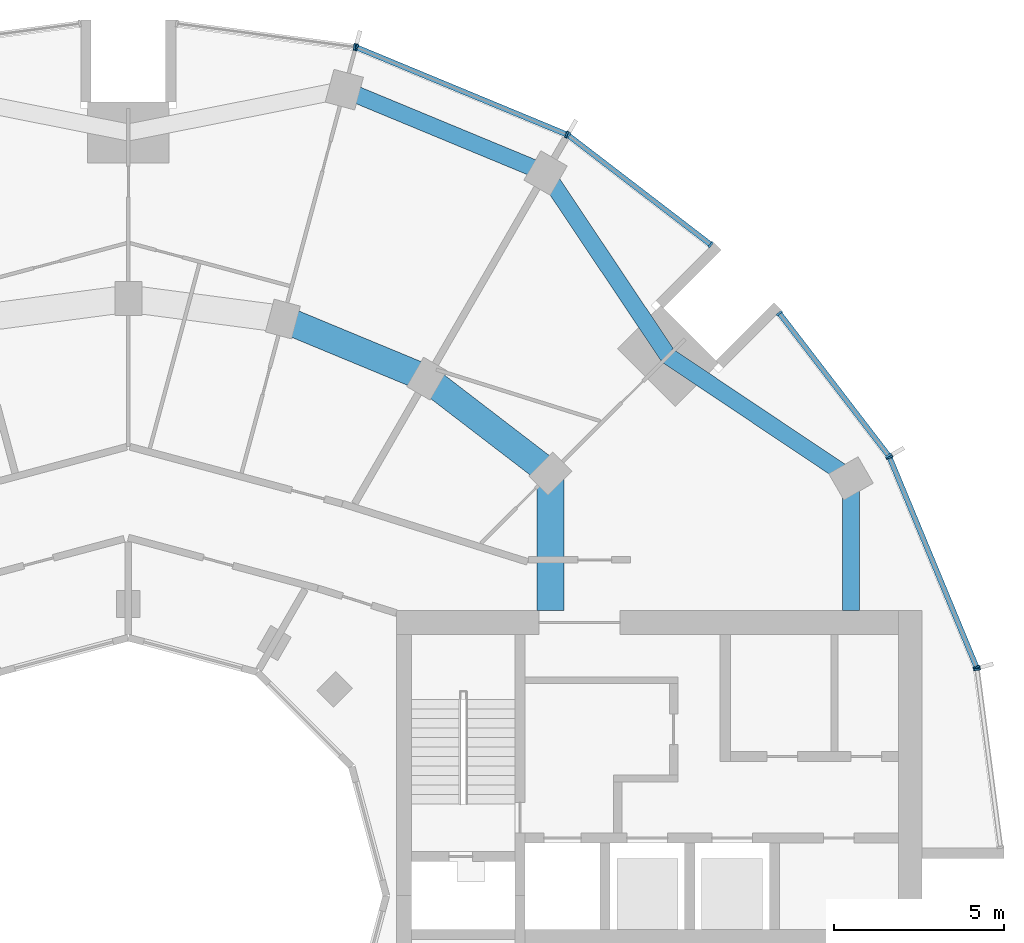
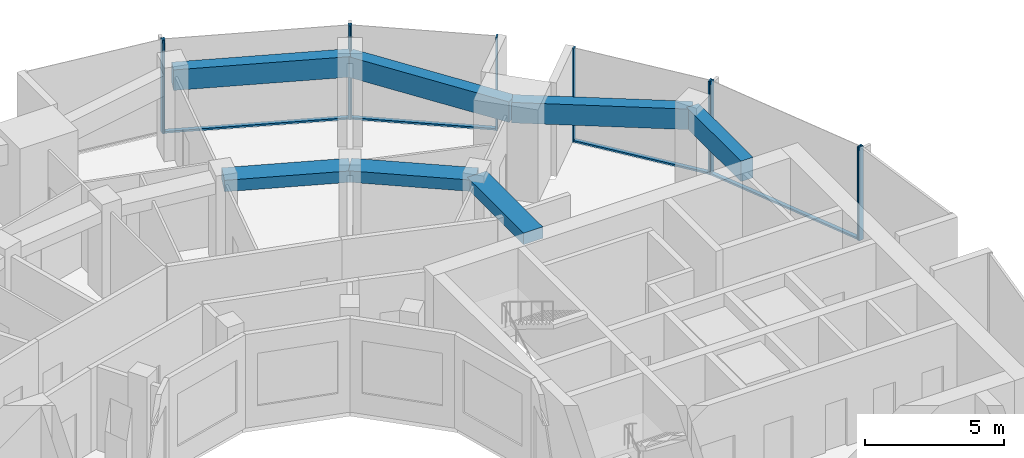
# One storey, part 6 of 15: 14 members, 7 beams, 6 elements without a shape of their own.
"""IFC4 building model written with IfcOpenShell, lengths in metres."""

import ifcopenshell
import ifcopenshell.guid

model = None  # the IFC model being written
_history = None  # IfcOwnerHistory: only IFC2X3 demands one
_inside = {}  # id of a spatial element -> (the spatial element, [elements in it])
_under = {}  # id of a project, library or spatial element -> (it, [spatial elements below it])
_declared = {}  # id of a project -> (the project, [libraries it declares])
_typed = {}  # id of a type object -> (the type object, [elements of that type])
_made_of = {}  # id of a material, layer set ... -> (it, [elements and type objects made of it])


def new_model(schema):
    """Start an empty IFC model of exactly this schema.

    Asked for "IFC4X3", IfcOpenShell would pick the latest addendum, in which some entities
    have other attributes; the version numbers below select the first issue.
    IFC2X3 requires an IfcOwnerHistory on every rooted entity: one is made here for all.
    """
    global model, _history
    if schema == "IFC4X3":
        model = ifcopenshell.file(schema_version=(4, 3, 0, 0))
    else:
        model = ifcopenshell.file(schema=schema)
    _inside.clear()
    _under.clear()
    _declared.clear()
    _typed.clear()
    _made_of.clear()
    _history = None
    if model.schema == "IFC2X3":
        org = make("IfcOrganization", Name="unknown")
        user = make(
            "IfcPersonAndOrganization",
            ThePerson=make("IfcPerson", FamilyName="unknown"),
            TheOrganization=org,
        )
        app = make(
            "IfcApplication",
            ApplicationDeveloper=org,
            Version="unknown",
            ApplicationFullName="unknown",
            ApplicationIdentifier="unknown",
        )
        _history = make(
            "IfcOwnerHistory",
            OwningUser=user,
            OwningApplication=app,
            ChangeAction="ADDED",
            CreationDate=0,
        )
    return model


def make(cls, **values):
    """One entity of the class cls with the attributes given. An attribute that is None is left unset."""
    return model.create_entity(
        cls, **{name: value for name, value in values.items() if value is not None}
    )


def rooted(cls, **values):
    """An entity with a GlobalId (a new one), such as an element, a storey or a relation."""
    return make(cls, GlobalId=ifcopenshell.guid.new(), OwnerHistory=_history, **values)


def si_unit(unit_type, name, prefix=None):
    """IfcSIUnit, for example si_unit("LENGTHUNIT", "METRE", prefix="MILLI")."""
    return make("IfcSIUnit", UnitType=unit_type, Prefix=prefix, Name=name)


def assignment(units):
    """IfcUnitAssignment: the units of a project."""
    return None if units is None else make("IfcUnitAssignment", Units=units)


def point(xyz):
    """IfcCartesianPoint."""
    return None if xyz is None else make("IfcCartesianPoint", Coordinates=xyz)


def direction(xyz):
    """IfcDirection."""
    return None if xyz is None else make("IfcDirection", DirectionRatios=xyz)


def frame(location, z_axis=None, x_axis=None):
    """IfcAxis2Placement3D, a coordinate frame: its origin and axes. An axis left out is left unset."""
    return make(
        "IfcAxis2Placement3D",
        Location=point(location),
        Axis=direction(z_axis),
        RefDirection=direction(x_axis),
    )


def frame_2d(location, x_axis=None):
    """IfcAxis2Placement2D, a coordinate frame in the plane: its origin and x axis."""
    return make(
        "IfcAxis2Placement2D", Location=point(location), RefDirection=direction(x_axis)
    )


def origin():
    """The frame at (0, 0, 0) with its axes left unset."""
    return frame((0.0, 0.0, 0.0))


def origin_2d():
    """The frame at (0, 0) in the plane with its x axis left unset."""
    return frame_2d((0.0, 0.0))


def place(relative_to, where):
    """IfcLocalPlacement: puts the frame where relative to a parent placement (None: the world)."""
    return make(
        "IfcLocalPlacement", PlacementRelTo=relative_to, RelativePlacement=where
    )


def context(
    kind, dimensions, precision=None, world=None, true_north=None, identifier=None
):
    """IfcGeometricRepresentationContext, for example the 3D "Model" context."""
    return make(
        "IfcGeometricRepresentationContext",
        ContextIdentifier=identifier,
        ContextType=kind,
        CoordinateSpaceDimension=dimensions,
        Precision=precision,
        WorldCoordinateSystem=world,
        TrueNorth=true_north,
    )


def subcontext(parent, identifier, kind, view, scale=None):
    """IfcGeometricRepresentationSubContext, for example "Body" below "Model"."""
    return make(
        "IfcGeometricRepresentationSubContext",
        ContextIdentifier=identifier,
        ContextType=kind,
        ParentContext=parent,
        TargetScale=scale,
        TargetView=view,
    )


def project(units=None, contexts=None):
    """IfcProject with its units and contexts."""
    return rooted(
        "IfcProject",
        Name="project",
        RepresentationContexts=contexts,
        UnitsInContext=assignment(units),
    )


def spatial(cls, under=None, at=None, **own):
    """A site, building, storey or space (cls), placed at a placement, below another one or the project."""
    s = rooted(cls, ObjectPlacement=at, **own)
    if under is not None:
        _under.setdefault(under.id(), (under, []))[1].append(s)
    return s


def profile(cls, at=None, kind="AREA", **sizes):
    """A parametric profile (cls). Its sizes go by their IFC names, for example OverallWidth=200.0."""
    return make(cls, ProfileType=kind, Position=at, **sizes)


def rectangle(**sizes):
    """IfcRectangleProfileDef."""
    return profile("IfcRectangleProfileDef", **sizes)


def extrude(swept, where, along, depth):
    """IfcExtrudedAreaSolid: the profile swept, set in the frame where, extruded along a direction by depth."""
    return make(
        "IfcExtrudedAreaSolid",
        SweptArea=swept,
        Position=where,
        ExtrudedDirection=direction(along),
        Depth=depth,
    )


def shape(context_of_items, identifier, shape_type, items):
    """IfcShapeRepresentation: the items that make up one representation, for example the "Body"."""
    return make(
        "IfcShapeRepresentation",
        ContextOfItems=context_of_items,
        RepresentationIdentifier=identifier,
        RepresentationType=shape_type,
        Items=items,
    )


def material(Name=None, Category=None):
    """IfcMaterial."""
    return make("IfcMaterial", Name=Name, Category=Category)


def layer(
    of_material, thickness, ventilated=None, Name=None, Category=None, Priority=None
):
    """IfcMaterialLayer: one layer of a wall or slab, of a material (None: an air gap)."""
    return make(
        "IfcMaterialLayer",
        Material=of_material,
        LayerThickness=thickness,
        IsVentilated=ventilated,
        Name=Name,
        Category=Category,
        Priority=Priority,
    )


def layer_set(layers, Name=None):
    """IfcMaterialLayerSet."""
    return make("IfcMaterialLayerSet", MaterialLayers=layers, LayerSetName=Name)


def material_profile(
    of_material, cross_section, Name=None, Category=None, Priority=None
):
    """IfcMaterialProfile: a cross section and its material."""
    return make(
        "IfcMaterialProfile",
        Name=Name,
        Material=of_material,
        Profile=cross_section,
        Priority=Priority,
        Category=Category,
    )


def profile_set(profiles, Name=None, composite=None):
    """IfcMaterialProfileSet."""
    return make(
        "IfcMaterialProfileSet",
        Name=Name,
        MaterialProfiles=profiles,
        CompositeProfile=composite,
    )


def made_of(thing, what):
    """Note that an element or type object is made of a material, layer set ...; save() writes the relation."""
    if what is not None:
        _made_of.setdefault(what.id(), (what, []))[1].append(thing)
    return thing


def type_object(cls, material=None, **own):
    """A type object (cls), such as IfcWallType, which elements share."""
    return made_of(rooted(cls, **own), material)


def element(
    cls,
    number,
    at=None,
    inside=None,
    cuts=None,
    type_object=None,
    material=None,
    context=None,
    identifier="Body",
    shape_type=None,
    held_by="IfcProductDefinitionShape",
    body=None,
    shapes=None,
    **own,
):
    """One element of the class cls, such as IfcWall. Its Tag is "e" and its number.

    at: its placement. inside: the storey or other place that contains it. cuts: it is an
    opening in that element (IfcRelVoidsElement). A single representation is given by context,
    identifier, shape_type and body (its items); several are given by shapes. held_by: the class
    of the entity that holds the representations. save() writes the other relations.
    """
    e = rooted(cls, Tag="e%d" % number, ObjectPlacement=at, **own)
    if body is not None:
        shapes = [shape(context, identifier, shape_type, body)]
    if shapes is not None:
        e.Representation = make(held_by, Representations=shapes)
    if inside is not None:
        _inside.setdefault(inside.id(), (inside, []))[1].append(e)
    if cuts is not None:
        rooted(
            "IfcRelVoidsElement", RelatingBuildingElement=cuts, RelatedOpeningElement=e
        )
    if type_object is not None:
        _typed.setdefault(type_object.id(), (type_object, []))[1].append(e)
    return made_of(e, material)


def aggregate(whole, parts):
    """IfcRelAggregates: a whole, such as a stair, and the parts it consists of."""
    return rooted("IfcRelAggregates", RelatingObject=whole, RelatedObjects=parts)


def save(model, path):
    """Write the relations noted so far, then the file.

    IfcRelAggregates (storeys below a building ...), IfcRelContainedInSpatialStructure (elements
    in a storey), IfcRelDefinesByType, IfcRelAssociatesMaterial and IfcRelDeclares: one each for
    every whole, place, type object, material and project.
    """
    for whole, parts in _under.values():
        aggregate(whole, parts)
    for where, things in _inside.values():
        rooted(
            "IfcRelContainedInSpatialStructure",
            RelatedElements=things,
            RelatingStructure=where,
        )
    for kind, things in _typed.values():
        rooted("IfcRelDefinesByType", RelatedObjects=things, RelatingType=kind)
    for what, things in _made_of.values():
        rooted("IfcRelAssociatesMaterial", RelatedObjects=things, RelatingMaterial=what)
    for by, libraries in _declared.values():
        rooted("IfcRelDeclares", RelatingContext=by, RelatedDefinitions=libraries)
    model.write(path)


model = new_model("IFC4")

# Units and contexts
model_context = context("Model", 3, precision=1e-05, world=origin(), true_north=direction((0.0, 1.0)))
body_context = subcontext(model_context, "Body", "Model", "MODEL_VIEW")
ifc_project = project(units=[si_unit("LENGTHUNIT", "METRE"), si_unit("AREAUNIT", "SQUARE_METRE"), si_unit("VOLUMEUNIT", "CUBIC_METRE"), si_unit("PLANEANGLEUNIT", "RADIAN"), si_unit("MASSUNIT", "GRAM", prefix="KILO")], contexts=[model_context])

# Site, building, storey
site_placement = place(None, origin())
site = spatial("IfcSite", under=ifc_project, at=site_placement, CompositionType="ELEMENT")
building_placement = place(site_placement, origin())
building = spatial("IfcBuilding", under=site, at=building_placement, Name="Torre Brocal", CompositionType="ELEMENT")
storey_placement = place(building_placement, frame((0.0, 0.0, 182.300048828125)))
storey = spatial("IfcBuildingStorey", under=building, at=storey_placement, Name="L42", CompositionType="ELEMENT", Elevation=182.300048828125)

# Curtain wall, members
ifc_material_1 = material(Name="Aluminium and glass", Category="aluminium")
ifc_layer_1 = layer(ifc_material_1, 0.199951171875)
ifc_layer_set_1 = layer_set([ifc_layer_1], Name="Aluminium and glass")
curtain_wall_type_1 = type_object("IfcCurtainWallType", Name="CW-1 CURTAIN WALL 4100 HIGH", PredefinedType="NOTDEFINED", material=ifc_layer_set_1)
curtain_wall_1_placement = place(storey_placement, origin())
curtain_wall_1 = element("IfcCurtainWall", 1, at=curtain_wall_1_placement, inside=storey, type_object=curtain_wall_type_1, Name="CW-1 RUN 2", PredefinedType="NOTDEFINED")
ifc_material_2 = material(Name="Aluminium, dark anodised", Category="aluminium")
ifc_material_profile_1 = material_profile(ifc_material_2, rectangle(XDim=0.199951171875, YDim=0.06005859375, at=origin_2d()), Name="CW-1 MULLION 60X200")
ifc_profile_set_1 = profile_set([ifc_material_profile_1], Name="Aluminium, dark anodised")
member_type_1 = type_object("IfcMemberType", Name="CW-1 MULLION 60X200", PredefinedType="MULLION", material=ifc_profile_set_1)
member_1_placement = place(storey_placement, frame((105.005126953125, 81.73095703125, 0.0), z_axis=(0.0, 0.0, 1.0), x_axis=(-0.923879532525, -0.382683432333, 0.0)))
member_1 = element("IfcMember", 2, at=member_1_placement, type_object=member_type_1, Name="CW1-4 mullion 1", PredefinedType="MULLION", context=body_context, shape_type="SweptSolid", body=[
    extrude(rectangle(XDim=0.199951171875, YDim=0.06005859375, at=origin_2d()), origin(), (0.0, 0.0, 1.0), 4.099853515625),
])
member_2_placement = place(storey_placement, frame((102.440673828125, 87.921875, 0.0), z_axis=(0.0, 0.0, 1.0), x_axis=(-0.923879532525, -0.382683432333, 0.0)))
member_2 = element("IfcMember", 3, at=member_2_placement, type_object=member_type_1, Name="CW1-4 mullion 2", PredefinedType="MULLION", context=body_context, shape_type="SweptSolid", body=[
    extrude(rectangle(XDim=0.199951171875, YDim=0.06005859375, at=origin_2d()), origin(), (0.0, 0.0, 1.0), 4.099853515625),
])

curtain_wall_2_placement = place(storey_placement, origin())
curtain_wall_2 = element("IfcCurtainWall", 4, at=curtain_wall_2_placement, inside=storey, type_object=curtain_wall_type_1, Name="CW-1 RUN 3", PredefinedType="NOTDEFINED")
member_3_placement = place(storey_placement, frame((102.4111328125, 87.973388671875, 0.0), z_axis=(0.0, 0.0, 1.0), x_axis=(-0.793353340259, -0.60876142905, 0.0)))
member_3 = element("IfcMember", 5, at=member_3_placement, type_object=member_type_1, Name="CW1-4 mullion 1", PredefinedType="MULLION", context=body_context, shape_type="SweptSolid", body=[
    extrude(rectangle(XDim=0.199951171875, YDim=0.06005859375, at=origin_2d()), origin(), (0.0, 0.0, 1.0), 4.099853515625),
])
member_4_placement = place(storey_placement, frame((99.19140625, 92.16943359375, 0.0), z_axis=(0.0, 0.0, 1.0), x_axis=(-0.793353340259, -0.60876142905, 0.0)))
member_4 = element("IfcMember", 6, at=member_4_placement, type_object=member_type_1, Name="CW1-4 mullion 2", PredefinedType="MULLION", context=body_context, shape_type="SweptSolid", body=[
    extrude(rectangle(XDim=0.199951171875, YDim=0.06005859375, at=origin_2d()), origin(), (0.0, 0.0, 1.0), 4.099853515625),
])

curtain_wall_3_placement = place(storey_placement, origin())
curtain_wall_3 = element("IfcCurtainWall", 7, at=curtain_wall_3_placement, inside=storey, type_object=curtain_wall_type_1, Name="CW-1 RUN 4", PredefinedType="NOTDEFINED")
member_5_placement = place(storey_placement, frame((97.16943359375, 94.19140625, 0.0), z_axis=(0.0, 0.0, 1.0), x_axis=(-0.60876142905, -0.793353340259, 0.0)))
member_5 = element("IfcMember", 8, at=member_5_placement, type_object=member_type_1, Name="CW1-4 mullion 1", PredefinedType="MULLION", context=body_context, shape_type="SweptSolid", body=[
    extrude(rectangle(XDim=0.199951171875, YDim=0.06005859375, at=origin_2d()), origin(), (0.0, 0.0, 1.0), 4.099853515625),
])
member_6_placement = place(storey_placement, frame((92.973388671875, 97.4111328125, 0.0), z_axis=(0.0, 0.0, 1.0), x_axis=(-0.60876142905, -0.793353340259, 0.0)))
member_6 = element("IfcMember", 9, at=member_6_placement, type_object=member_type_1, Name="CW1-4 mullion 2", PredefinedType="MULLION", context=body_context, shape_type="SweptSolid", body=[
    extrude(rectangle(XDim=0.199951171875, YDim=0.06005859375, at=origin_2d()), origin(), (0.0, 0.0, 1.0), 4.099853515625),
])

curtain_wall_4_placement = place(storey_placement, origin())
curtain_wall_4 = element("IfcCurtainWall", 10, at=curtain_wall_4_placement, inside=storey, type_object=curtain_wall_type_1, Name="CW-1 RUN 5", PredefinedType="NOTDEFINED")
member_7_placement = place(storey_placement, frame((92.921875, 97.440673828125, 0.0), z_axis=(0.0, 0.0, 1.0), x_axis=(-0.382683432333, -0.923879532525, 0.0)))
member_7 = element("IfcMember", 11, at=member_7_placement, type_object=member_type_1, Name="CW1-4 mullion 1", PredefinedType="MULLION", context=body_context, shape_type="SweptSolid", body=[
    extrude(rectangle(XDim=0.199951171875, YDim=0.06005859375, at=origin_2d()), origin(), (0.0, 0.0, 1.0), 4.099853515625),
])
member_8_placement = place(storey_placement, frame((86.73095703125, 100.005126953125, 0.0), z_axis=(0.0, 0.0, 1.0), x_axis=(-0.382683432333, -0.923879532525, 0.0)))
member_8 = element("IfcMember", 12, at=member_8_placement, type_object=member_type_1, Name="CW1-4 mullion 2", PredefinedType="MULLION", context=body_context, shape_type="SweptSolid", body=[
    extrude(rectangle(XDim=0.199951171875, YDim=0.06005859375, at=origin_2d()), origin(), (0.0, 0.0, 1.0), 4.099853515625),
])

# Curtain wall, member
curtain_wall_5_placement = place(storey_placement, origin())
curtain_wall_5 = element("IfcCurtainWall", 13, at=curtain_wall_5_placement, inside=storey, type_object=curtain_wall_type_1, Name="CW-1 RUN 6", PredefinedType="NOTDEFINED")
member_9_placement = place(storey_placement, frame((86.67333984375, 100.0205078125, 0.0), z_axis=(0.0, 0.0, 1.0), x_axis=(-0.13052619222, -0.991444861374, 0.0)))
member_9 = element("IfcMember", 14, at=member_9_placement, type_object=member_type_1, Name="CW1-4 mullion 1", PredefinedType="MULLION", context=body_context, shape_type="SweptSolid", body=[
    extrude(rectangle(XDim=0.199951171875, YDim=0.06005859375, at=origin_2d()), origin(), (0.0, 0.0, 1.0), 4.099853515625),
])
aggregate(curtain_wall_5, [member_9])

# Member
ifc_material_3 = material(Name="Aluminium, dark anodised", Category="aluminium")
ifc_material_profile_2 = material_profile(ifc_material_3, rectangle(XDim=0.159912109375, YDim=0.080078125, at=origin_2d()), Name="CW-1 TRANSOM 160X80")
ifc_profile_set_2 = profile_set([ifc_material_profile_2], Name="Aluminium, dark anodised")
member_type_2 = type_object("IfcMemberType", Name="CW-1 TRANSOM 160X80", PredefinedType="USERDEFINED", material=ifc_profile_set_2)
member_10_placement = place(storey_placement, frame((104.99365234375, 81.758544921875, 0.0400390625), z_axis=(-0.38266457234, 0.923887344364, 0.0), x_axis=(-0.923887344364, -0.38266457234, 0.0)))
member_10 = element("IfcMember", 15, at=member_10_placement, type_object=member_type_2, Name="CW1-4 transom 1.1", ObjectType="TRANSOM", PredefinedType="USERDEFINED", context=body_context, shape_type="SweptSolid", body=[
    extrude(rectangle(XDim=0.159912109375, YDim=0.080078125, at=origin_2d()), origin(), (0.0, 0.0, 1.0), 6.640869140625),
])

aggregate(curtain_wall_1, [member_1, member_2, member_10])

member_11_placement = place(storey_placement, frame((102.392822265625, 87.9970703125, 0.0400390625), z_axis=(-0.60874908096, 0.79336281513, 0.0), x_axis=(-0.79336281513, -0.60874908096, 0.0)))
member_11 = element("IfcMember", 16, at=member_11_placement, type_object=member_type_2, Name="CW1-4 transom 1.1", ObjectType="TRANSOM", PredefinedType="USERDEFINED", context=body_context, shape_type="SweptSolid", body=[
    extrude(rectangle(XDim=0.159912109375, YDim=0.080078125, at=origin_2d()), origin(), (0.0, 0.0, 1.0), 5.22900390625),
])

aggregate(curtain_wall_2, [member_3, member_4, member_11])

member_12_placement = place(storey_placement, frame((97.1455078125, 94.209716796875, 0.0400390625), z_axis=(-0.79336281513, 0.60874908096, 0.0), x_axis=(-0.60874908096, -0.79336281513, 0.0)))
member_12 = element("IfcMember", 17, at=member_12_placement, type_object=member_type_2, Name="CW1-4 transom 1.1", ObjectType="TRANSOM", PredefinedType="USERDEFINED", context=body_context, shape_type="SweptSolid", body=[
    extrude(rectangle(XDim=0.159912109375, YDim=0.080078125, at=origin_2d()), origin(), (0.0, 0.0, 1.0), 5.22900390625),
])

aggregate(curtain_wall_3, [member_5, member_6, member_12])

member_13_placement = place(storey_placement, frame((92.89404296875, 97.452392578125, 0.0400390625), z_axis=(-0.923887344364, 0.38266457234, 0.0), x_axis=(-0.38266457234, -0.923887344364, 0.0)))
member_13 = element("IfcMember", 18, at=member_13_placement, type_object=member_type_2, Name="CW1-4 transom 1.1", ObjectType="TRANSOM", PredefinedType="USERDEFINED", context=body_context, shape_type="SweptSolid", body=[
    extrude(rectangle(XDim=0.159912109375, YDim=0.080078125, at=origin_2d()), origin(), (0.0, 0.0, 1.0), 6.640869140625),
])

aggregate(curtain_wall_4, [member_7, member_8, member_13])

# Curtain wall, member
ifc_material_4 = material(Name="Aluminium and glass", Category="aluminium")
ifc_layer_2 = layer(ifc_material_4, 0.199951171875)
ifc_layer_set_2 = layer_set([ifc_layer_2], Name="Aluminium and glass")
curtain_wall_type_2 = type_object("IfcCurtainWallType", Name="CW-1B CURTAIN WALL 4100 HIGH", PredefinedType="NOTDEFINED", material=ifc_layer_set_2)
curtain_wall_6_placement = place(storey_placement, origin())
curtain_wall_6 = element("IfcCurtainWall", 19, at=curtain_wall_6_placement, inside=storey, type_object=curtain_wall_type_2, Name="CW-1B RUN 1", PredefinedType="NOTDEFINED")
ifc_material_5 = material(Name="Aluminium, dark anodised", Category="aluminium")
ifc_material_profile_3 = material_profile(ifc_material_5, rectangle(XDim=0.199951171875, YDim=0.06005859375, at=origin_2d()), Name="CW-1B MULLION 60X200")
ifc_profile_set_3 = profile_set([ifc_material_profile_3], Name="Aluminium, dark anodised")
member_type_3 = type_object("IfcMemberType", Name="CW-1B MULLION 60X200", PredefinedType="MULLION", material=ifc_profile_set_3)
member_14_placement = place(storey_placement, frame((105.0205078125, 81.67333984375, 0.0), z_axis=(0.0, 0.0, 1.0), x_axis=(-0.991444861374, -0.13052619222, 0.0)))
member_14 = element("IfcMember", 20, at=member_14_placement, type_object=member_type_3, Name="CW1B-4 mullion 2", PredefinedType="MULLION", context=body_context, shape_type="SweptSolid", body=[
    extrude(rectangle(XDim=0.199951171875, YDim=0.06005859375, at=origin_2d()), origin(), (0.0, 0.0, 1.0), 4.099853515625),
])
aggregate(curtain_wall_6, [member_14])

# Beams
ifc_material_6 = material(Name="Concrete C50", Category="concrete")
ifc_material_profile_4 = material_profile(ifc_material_6, rectangle(XDim=0.800048828125, YDim=0.5, at=origin_2d()), Name="RC 800X500")
ifc_profile_set_4 = profile_set([ifc_material_profile_4], Name="Concrete C50")
beam_type_1 = type_object("IfcBeamType", Name="RC BEAM 800X500 C50 TOP 3780", PredefinedType="BEAM", material=ifc_profile_set_4)
beam_1_placement = place(storey_placement, frame((92.445068359375, 87.445068359375, 3.530029296875), z_axis=(-0.793358265959, 0.6087550097, 0.0), x_axis=(-0.6087550097, -0.793358265959, 0.0)))
element("IfcBeam", 21, at=beam_1_placement, inside=storey, type_object=beam_type_1, Name="Beam BT-32", PredefinedType="BEAM", context=body_context, shape_type="SweptSolid", body=[
    extrude(rectangle(XDim=0.800048828125, YDim=0.5, at=origin_2d()), origin(), (0.0, 0.0, 1.0), 4.594482421875),
])
beam_2_placement = place(storey_placement, frame((88.800048828125, 90.241943359375, 3.530029296875), z_axis=(-0.923878240166, 0.382686552348, 0.0), x_axis=(-0.382686552348, -0.923878240166, 0.0)))
element("IfcBeam", 22, at=beam_2_placement, inside=storey, type_object=beam_type_1, Name="Beam BT-32", PredefinedType="BEAM", context=body_context, shape_type="SweptSolid", body=[
    extrude(rectangle(XDim=0.800048828125, YDim=0.5, at=origin_2d()), origin(), (0.0, 0.0, 1.0), 4.5947265625),
])
beam_3_placement = place(storey_placement, frame((92.445068359375, 87.445068359375, 3.530029296875), z_axis=(0.0, -1.0, 0.0), x_axis=(1.0, 0.0, 0.0)))
element("IfcBeam", 23, at=beam_3_placement, inside=storey, type_object=beam_type_1, Name="Beam BT-32", PredefinedType="BEAM", context=body_context, shape_type="SweptSolid", body=[
    extrude(rectangle(XDim=0.800048828125, YDim=0.5, at=origin_2d()), origin(), (0.0, 0.0, 1.0), 4.045166015625),
])
ifc_material_7 = material(Name="Concrete C50", Category="concrete")
ifc_material_profile_5 = material_profile(ifc_material_7, rectangle(XDim=0.5, YDim=0.89990234375, at=origin_2d()), Name="RC 500X900")
ifc_profile_set_5 = profile_set([ifc_material_profile_5], Name="Concrete C50")
beam_type_2 = type_object("IfcBeamType", Name="RC SPANDREL BEAM 500X900 C50 TOP 3780", PredefinedType="SPANDREL", material=ifc_profile_set_5)
for number, where, z_axis, x_axis, name in (
    (24, (101.30419921875, 87.300048828125, 3.329833984375), (-0.831076844476, 0.556157602282, 0.0), (-0.556157602282, -0.831076844476, 0.0), "Beam BT-33"),
    (25, (95.909912109375, 90.909912109375, 3.329833984375), (-0.556157602282, 0.831076844476, 0.0), (-0.831076844476, -0.556157602282, 0.0), "Beam BT-33"),
):
    element("IfcBeam", number, at=place(storey_placement, frame(where, z_axis=z_axis, x_axis=x_axis)), inside=storey, type_object=beam_type_2, Name=name, PredefinedType="SPANDREL", context=body_context, shape_type="SweptSolid", body=[
        extrude(rectangle(XDim=0.5, YDim=0.89990234375, at=origin_2d()), origin(), (0.0, 0.0, 1.0), 6.49072265625),
    ])
beam_4_placement = place(storey_placement, frame((92.300048828125, 96.30419921875, 3.329833984375), z_axis=(-0.923882462513, 0.382676358639, 0.0), x_axis=(-0.382676358639, -0.923882462513, 0.0)))
element("IfcBeam", 26, at=beam_4_placement, inside=storey, type_object=beam_type_2, Name="Beam BT-33", PredefinedType="SPANDREL", context=body_context, shape_type="SweptSolid", body=[
    extrude(rectangle(XDim=0.5, YDim=0.89990234375, at=origin_2d()), origin(), (0.0, 0.0, 1.0), 6.421875),
])
beam_5_placement = place(storey_placement, frame((101.30419921875, 87.300048828125, 3.329833984375), z_axis=(0.0, -1.0, 0.0), x_axis=(1.0, 0.0, 0.0)))
element("IfcBeam", 27, at=beam_5_placement, inside=storey, type_object=beam_type_2, Name="Beam BT-33", PredefinedType="SPANDREL", context=body_context, shape_type="SweptSolid", body=[
    extrude(rectangle(XDim=0.5, YDim=0.89990234375, at=origin_2d()), origin(), (0.0, 0.0, 1.0), 3.900146484375),
])

save(model, "model.ifc")
